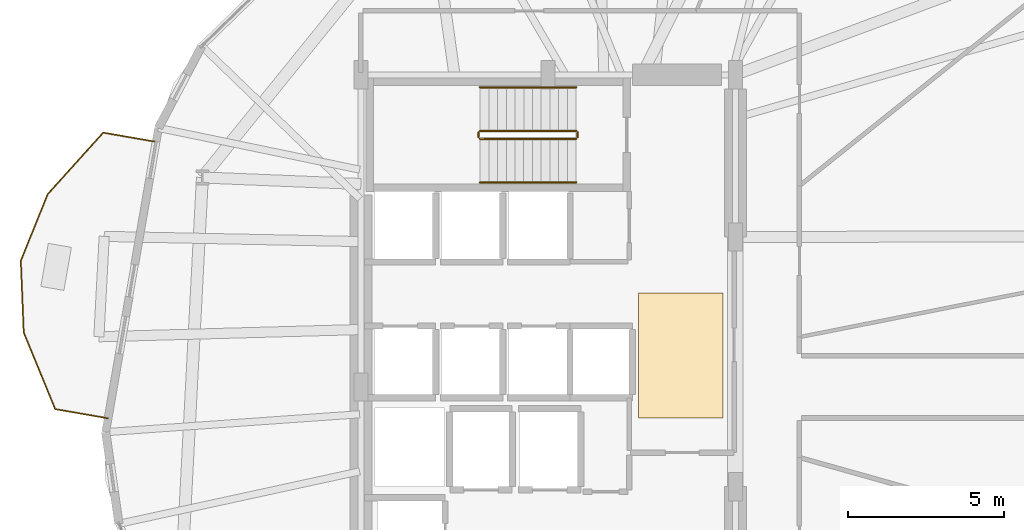
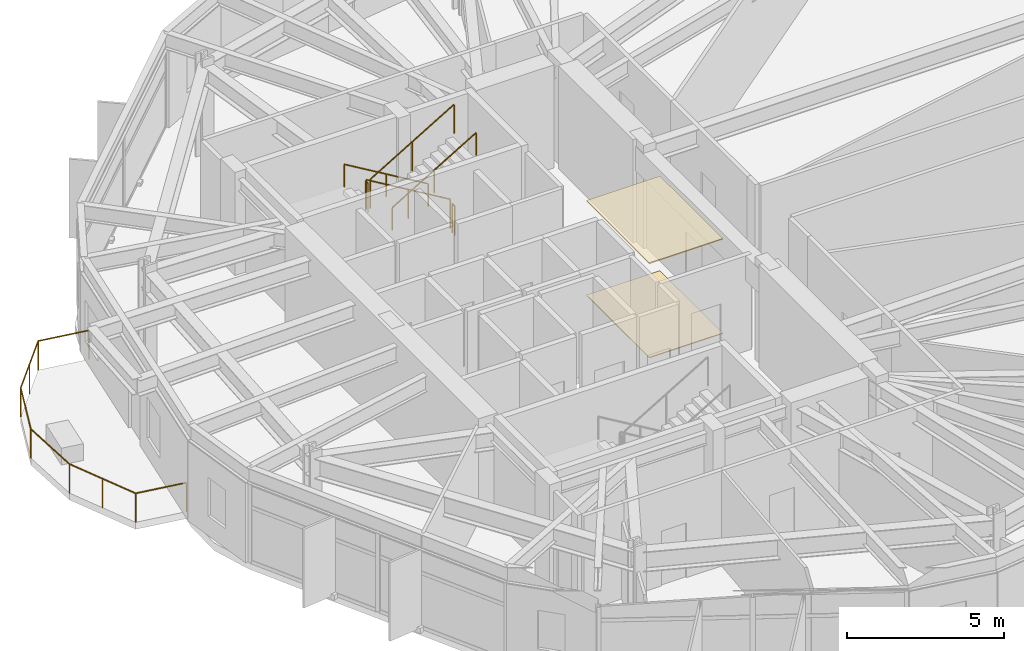
# One storey, part 21 of 22: 7 railings, 2 coverings.
"""IFC4 building model written with IfcOpenShell, lengths in metres."""

from ifc_helpers import new_model, si_unit, direction, frame, origin, origin_2d, place, context, subcontext, project, spatial, polyline, circle, outline, extrude, material, layer, layer_set, type_object, element, save


model = new_model("IFC4")

# Units and contexts
model_context = context("Model", 3, precision=1e-05, world=origin(), true_north=direction((0.0, 1.0)))
body_context = subcontext(model_context, "Body", "Model", "MODEL_VIEW")
ifc_project = project(units=[si_unit("LENGTHUNIT", "METRE"), si_unit("AREAUNIT", "SQUARE_METRE"), si_unit("VOLUMEUNIT", "CUBIC_METRE"), si_unit("PLANEANGLEUNIT", "RADIAN"), si_unit("MASSUNIT", "GRAM", prefix="KILO")], contexts=[model_context])

# Site, building, storey
site_placement = place(None, origin())
site = spatial("IfcSite", under=ifc_project, at=site_placement, CompositionType="ELEMENT")
building_placement = place(site_placement, origin())
building = spatial("IfcBuilding", under=site, at=building_placement, Name="Soratama Intermodal Tower", CompositionType="ELEMENT")
storey_placement = place(building_placement, frame((0.0, 0.0, 58.60009765625)))
storey = spatial("IfcBuildingStorey", under=building, at=storey_placement, Name="L13", CompositionType="ELEMENT", Elevation=58.60009765625)

# Coverings
ifc_material_1 = material(Name="Perforated mineral acoustic ceiling", Category="concrete")
ifc_layer_1 = layer(ifc_material_1, 0.0400390625)
ifc_layer_set_1 = layer_set([ifc_layer_1], Name="Perforated mineral acoustic ceiling")
covering_type_1 = type_object("IfcCoveringType", Name="CV-CEIL-ACOUSTIC", PredefinedType="CEILING", material=ifc_layer_set_1)
covering_1_placement = place(storey_placement, frame((0.0, 0.0, 3.659912109375)))
element("IfcCovering", 1, at=covering_1_placement, inside=storey, type_object=covering_type_1, Name="L13 Acoustic Ceiling", PredefinedType="CEILING", context=body_context, shape_type="SweptSolid", body=[
    extrude(outline(polyline([(41.5, 24.0), (44.199951171875, 24.0), (44.199951171875, 28.0), (41.5, 28.0), (41.5, 24.0)])), origin(), (0.0, 0.0, 1.0), 0.0400390625),
])
ifc_material_2 = material(Name="Polished Andean stone terrazzo flooring", Category="masonry")
ifc_layer_2 = layer(ifc_material_2, 0.030029296875)
ifc_layer_set_2 = layer_set([ifc_layer_2], Name="Polished Andean stone terrazzo flooring")
covering_type_2 = type_object("IfcCoveringType", Name="CV-FLOR-TERRAZZO", PredefinedType="FLOORING", material=ifc_layer_set_2)
covering_2_placement = place(storey_placement, origin())
element("IfcCovering", 2, at=covering_2_placement, inside=storey, type_object=covering_type_2, Name="L13 Lobby Terrazzo Flooring", PredefinedType="FLOORING", context=body_context, shape_type="SweptSolid", body=[
    extrude(outline(polyline([(41.5, 24.0), (44.199951171875, 24.0), (44.199951171875, 28.0), (41.5, 28.0), (41.5, 24.0)])), origin(), (0.0, 0.0, 1.0), 0.02978515625),
])

# Railings
ifc_material_3 = material(Name="Laminated glass and stainless steel balustrade", Category="steel")
railing_type_1 = type_object("IfcRailingType", Name="RL-BAL-1150", PredefinedType="BALUSTRADE", material=ifc_material_3)
railing_1_placement = place(storey_placement, frame((24.50048828125, 23.991455078125, 0.0)))
element("IfcRailing", 3, at=railing_1_placement, inside=storey, type_object=railing_type_1, Name="L13 Balcony Balustrade 2", PredefinedType="BALUSTRADE", context=body_context, shape_type="SweptSolid", body=[
    extrude(circle(Radius=0.02392578125, at=origin_2d()), frame((0.0, 0.0, 1.1259765625), z_axis=(-0.985286673406, 0.170909833566, 0.0), x_axis=(-0.170909833566, -0.985286673406, 0.0)), (0.0, 0.0, 1.0), 1.719970703125),
    extrude(circle(Radius=0.02392578125, at=origin_2d()), frame((-1.694580078125, 0.2939453125, 1.1259765625), z_axis=(-0.380245978098, 0.92488539622, 0.0), x_axis=(-0.92488539622, -0.380245978098, 0.0)), (0.0, 0.0, 1.0), 2.65673828125),
    extrude(circle(Radius=0.02392578125, at=origin_2d()), frame((-2.704833984375, 2.751220703125, 1.1259765625), z_axis=(-0.040544496953, 0.999177733823, 0.0), x_axis=(-0.999177733823, -0.040544496953, 0.0)), (0.0, 0.0, 1.0), 2.30029296875),
    extrude(circle(Radius=0.02392578125, at=origin_2d()), frame((-2.798095703125, 5.049560546875, 1.1259765625), z_axis=(0.374682411179, 0.927153218596, 0.0), x_axis=(-0.927153218596, 0.374682411179, 0.0)), (0.0, 0.0, 1.0), 2.300048828125),
    extrude(circle(Radius=0.02392578125, at=origin_2d()), frame((-1.936279296875, 7.18212890625, 1.1259765625), z_axis=(0.669492535402, 0.742818783446, 0.0), x_axis=(-0.742818783446, 0.669492535402, 0.0)), (0.0, 0.0, 1.0), 2.656982421875),
    extrude(circle(Radius=0.02392578125, at=origin_2d()), frame((-0.157470703125, 9.15576171875, 1.1259765625), z_axis=(0.985286673406, -0.170909833566, 0.0), x_axis=(0.170909833566, 0.985286673406, 0.0)), (0.0, 0.0, 1.0), 1.719970703125),
    extrude(circle(Radius=0.02099609375, at=origin_2d()), origin(), (0.0, 0.0, 1.0), 1.101806640625),
    extrude(circle(Radius=0.02099609375, at=origin_2d()), frame((-1.694580078125, 0.2939453125, 0.0)), (0.0, 0.0, 1.0), 1.101806640625),
    extrude(circle(Radius=0.02099609375, at=origin_2d()), frame((-2.19970703125, 1.5224609375, 0.0)), (0.0, 0.0, 1.0), 1.101806640625),
    extrude(circle(Radius=0.02099609375, at=origin_2d()), frame((-2.704833984375, 2.751220703125, 0.0)), (0.0, 0.0, 1.0), 1.101806640625),
    extrude(circle(Radius=0.02099609375, at=origin_2d()), frame((-2.798095703125, 5.049560546875, 0.0)), (0.0, 0.0, 1.0), 1.101806640625),
    extrude(circle(Radius=0.02099609375, at=origin_2d()), frame((-1.936279296875, 7.18212890625, 0.0)), (0.0, 0.0, 1.0), 1.101806640625),
    extrude(circle(Radius=0.02099609375, at=origin_2d()), frame((-1.046875, 8.1689453125, 0.0)), (0.0, 0.0, 1.0), 1.101806640625),
    extrude(circle(Radius=0.02099609375, at=origin_2d()), frame((-0.157470703125, 9.15576171875, 0.0)), (0.0, 0.0, 1.0), 1.101806640625),
    extrude(circle(Radius=0.02099609375, at=origin_2d()), frame((1.537109375, 8.86181640625, 0.0)), (0.0, 0.0, 1.0), 1.101806640625),
])
ifc_material_4 = material(Name="Painted steel stair guardrail", Category="steel")
railing_type_2 = type_object("IfcRailingType", Name="RL-STAIR-GUARD", PredefinedType="GUARDRAIL", material=ifc_material_4)
railing_2_placement = place(storey_placement, frame((39.5, 33.199951171875, 0.16650390625)))
element("IfcRailing", 4, at=railing_2_placement, inside=storey, type_object=railing_type_2, Name="L13 ST-2 stair guard 1", PredefinedType="GUARDRAIL", context=body_context, shape_type="SweptSolid", body=[
    extrude(circle(Radius=0.02392578125, at=origin_2d()), frame((0.0, 0.0, 1.1259765625), z_axis=(-0.85927862911, 0.0, 0.511507807912), x_axis=(0.0, -1.0, 0.0)), (0.0, 0.0, 1.0), 3.58447265625),
    extrude(circle(Radius=0.02099609375, at=origin_2d()), origin(), (0.0, 0.0, 1.0), 1.101806640625),
    extrude(circle(Radius=0.02099609375, at=origin_2d()), frame((-1.5400390625, 0.0, 0.916748046875)), (0.0, 0.0, 1.0), 1.101806640625),
    extrude(circle(Radius=0.02099609375, at=origin_2d()), frame((-3.080078125, 0.0, 1.83349609375)), (0.0, 0.0, 1.0), 1.101806640625),
])
railing_3_placement = place(storey_placement, frame((36.3701171875, 33.14990234375, 2.0)))
element("IfcRailing", 5, at=railing_3_placement, inside=storey, type_object=railing_type_2, Name="L13 ST-2 stair guard 2", PredefinedType="GUARDRAIL", context=body_context, shape_type="SweptSolid", body=[
    extrude(circle(Radius=0.02392578125, at=origin_2d()), frame((0.0, 0.0, 1.1259765625), z_axis=(0.0, -1.0, 0.0), x_axis=(1.0, 0.0, 0.0)), (0.0, 0.0, 1.0), 0.14990234375),
    extrude(circle(Radius=0.02099609375, at=origin_2d()), origin(), (0.0, 0.0, 1.0), 1.101806640625),
    extrude(circle(Radius=0.02099609375, at=origin_2d()), frame((0.0, -0.14990234375, 0.0)), (0.0, 0.0, 1.0), 1.101806640625),
])
railing_4_placement = place(storey_placement, frame((36.419921875, 32.949951171875, 2.16650390625)))
element("IfcRailing", 6, at=railing_4_placement, inside=storey, type_object=railing_type_2, Name="L13 ST-2 stair guard 3", PredefinedType="GUARDRAIL", context=body_context, shape_type="SweptSolid", body=[
    extrude(circle(Radius=0.02392578125, at=origin_2d()), frame((0.0, 0.0, 1.1259765625), z_axis=(0.85927862911, 0.0, 0.511507807912), x_axis=(0.0, 1.0, 0.0)), (0.0, 0.0, 1.0), 3.58447265625),
    extrude(circle(Radius=0.02099609375, at=origin_2d()), origin(), (0.0, 0.0, 1.0), 1.101806640625),
    extrude(circle(Radius=0.02099609375, at=origin_2d()), frame((1.5400390625, 0.0, 0.916748046875)), (0.0, 0.0, 1.0), 1.101806640625),
    extrude(circle(Radius=0.02099609375, at=origin_2d()), frame((3.080078125, 0.0, 1.83349609375)), (0.0, 0.0, 1.0), 1.101806640625),
])
railing_5_placement = place(storey_placement, frame((39.550048828125, 33.14990234375, 0.0)))
element("IfcRailing", 7, at=railing_5_placement, inside=storey, type_object=railing_type_2, Name="L13 ST-2 stair guard 4", PredefinedType="GUARDRAIL", context=body_context, shape_type="SweptSolid", body=[
    extrude(circle(Radius=0.02392578125, at=origin_2d()), frame((0.0, 0.0, 1.1259765625), z_axis=(0.0, -1.0, 0.0), x_axis=(1.0, 0.0, 0.0)), (0.0, 0.0, 1.0), 0.14990234375),
    extrude(circle(Radius=0.02099609375, at=origin_2d()), origin(), (0.0, 0.0, 1.0), 1.101806640625),
    extrude(circle(Radius=0.02099609375, at=origin_2d()), frame((0.0, -0.14990234375, 0.0)), (0.0, 0.0, 1.0), 1.101806640625),
])
ifc_material_5 = material(Name="Brushed stainless steel handrail", Category="steel")
railing_type_3 = type_object("IfcRailingType", Name="RL-STAIR-HAND", PredefinedType="HANDRAIL", material=ifc_material_5)
railing_6_placement = place(storey_placement, frame((39.5, 34.60009765625, 0.16650390625)))
element("IfcRailing", 8, at=railing_6_placement, inside=storey, type_object=railing_type_3, Name="L13 ST-2 stair handrail 1", PredefinedType="HANDRAIL", context=body_context, shape_type="SweptSolid", body=[
    extrude(circle(Radius=0.02392578125, at=origin_2d()), frame((0.0, 0.0, 0.8759765625), z_axis=(-0.85927862911, 0.0, 0.511507807912), x_axis=(0.0, -1.0, 0.0)), (0.0, 0.0, 1.0), 3.58447265625),
    extrude(circle(Radius=0.02099609375, at=origin_2d()), origin(), (0.0, 0.0, 1.0), 0.851806640625),
    extrude(circle(Radius=0.02099609375, at=origin_2d()), frame((-1.5400390625, 0.0, 0.916748046875)), (0.0, 0.0, 1.0), 0.851806640625),
    extrude(circle(Radius=0.02099609375, at=origin_2d()), frame((-3.080078125, 0.0, 1.83349609375)), (0.0, 0.0, 1.0), 0.851806640625),
])
railing_7_placement = place(storey_placement, frame((36.419921875, 31.550048828125, 2.16650390625)))
element("IfcRailing", 9, at=railing_7_placement, inside=storey, type_object=railing_type_3, Name="L13 ST-2 stair handrail 2", PredefinedType="HANDRAIL", context=body_context, shape_type="SweptSolid", body=[
    extrude(circle(Radius=0.02392578125, at=origin_2d()), frame((0.0, 0.0, 0.8759765625), z_axis=(0.85927862911, 0.0, 0.511507807912), x_axis=(0.0, 1.0, 0.0)), (0.0, 0.0, 1.0), 3.58447265625),
    extrude(circle(Radius=0.02099609375, at=origin_2d()), origin(), (0.0, 0.0, 1.0), 0.851806640625),
    extrude(circle(Radius=0.02099609375, at=origin_2d()), frame((1.5400390625, 0.0, 0.916748046875)), (0.0, 0.0, 1.0), 0.851806640625),
    extrude(circle(Radius=0.02099609375, at=origin_2d()), frame((3.080078125, 0.0, 1.83349609375)), (0.0, 0.0, 1.0), 0.851806640625),
])

save(model, "model.ifc")
